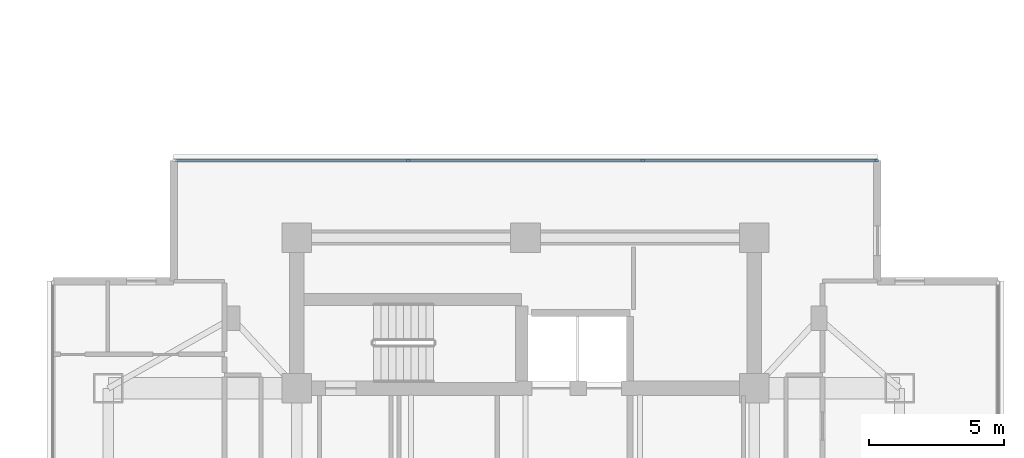
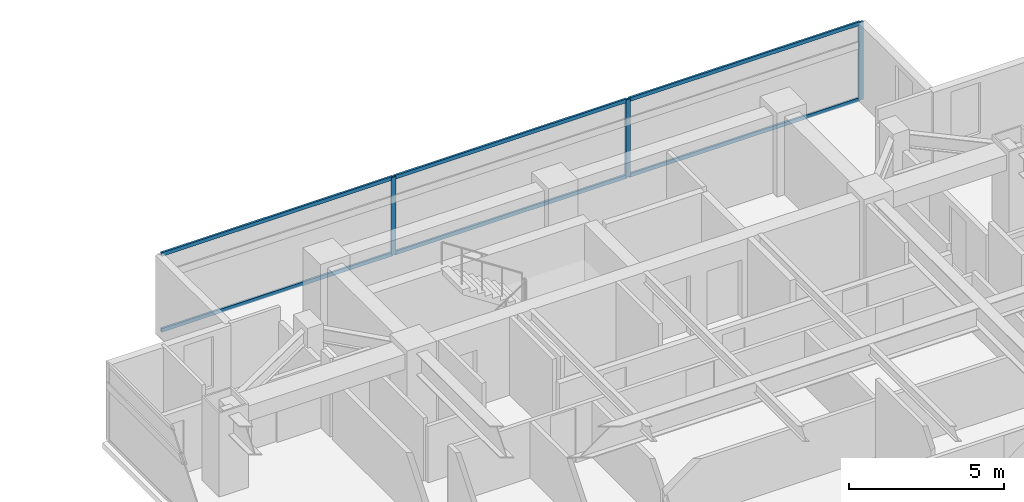
# One storey, part 12 of 26: 9 members, 1 element without a shape of its own.
"""IFC4 building model written with IfcOpenShell, lengths in metres."""

from ifc_helpers import new_model, si_unit, direction, frame, origin, origin_2d, place, context, subcontext, project, spatial, rectangle, extrude, material, material_profile, profile_set, type_object, element, aggregate, save


model = new_model("IFC4")

# Units and contexts
model_context = context("Model", 3, precision=1e-05, world=origin(), true_north=direction((0.0, 1.0)))
body_context = subcontext(model_context, "Body", "Model", "MODEL_VIEW")
ifc_project = project(units=[si_unit("LENGTHUNIT", "METRE"), si_unit("AREAUNIT", "SQUARE_METRE"), si_unit("VOLUMEUNIT", "CUBIC_METRE"), si_unit("PLANEANGLEUNIT", "RADIAN"), si_unit("MASSUNIT", "GRAM", prefix="KILO")], contexts=[model_context])

# Site, building, storey
site_placement = place(None, origin())
site = spatial("IfcSite", under=ifc_project, at=site_placement, CompositionType="ELEMENT")
building_placement = place(site_placement, origin())
building = spatial("IfcBuilding", under=site, at=building_placement, Name="Mirazonda Arch Towers", CompositionType="ELEMENT")
storey_placement = place(building_placement, frame((0.0, 0.0, 128.0)))
storey = spatial("IfcBuildingStorey", under=building, at=storey_placement, Name="L36", CompositionType="ELEMENT", Elevation=128.0)

# Curtain wall, members
ifc_material_1 = material(Name="Anodised Aluminium and Low-E Glass", Category="aluminium")
curtain_wall_type = type_object("IfcCurtainWallType", Name="CW-HTL-UNIT", PredefinedType="NOTDEFINED", material=ifc_material_1)
curtain_wall_placement = place(storey_placement, origin())
curtain_wall = element("IfcCurtainWall", 1, at=curtain_wall_placement, inside=storey, type_object=curtain_wall_type, Name="L36 T2 N Facade CW-L36-T2-N", PredefinedType="NOTDEFINED")
ifc_material_2 = material(Name="Anodised Aluminium Alloy", Category="aluminium")
ifc_material_profile_1 = material_profile(ifc_material_2, rectangle(XDim=0.074951171875, YDim=0.1650390625, at=origin_2d()), Name="ALU-MULL-75x165")
ifc_profile_set_1 = profile_set([ifc_material_profile_1], Name="Anodised Aluminium Alloy")
member_type_1 = type_object("IfcMemberType", Name="MULL-CW-HTL-UNIT", PredefinedType="MULLION", material=ifc_profile_set_1)
member_1_placement = place(storey_placement, frame((72.142578125, 43.6689453125, 0.0), z_axis=(0.0, 0.0, 1.0), x_axis=(0.0, 1.0, 0.0)))
member_1 = element("IfcMember", 2, at=member_1_placement, type_object=member_type_1, Name="CW-112 mullion 2", PredefinedType="MULLION", context=body_context, shape_type="SweptSolid", body=[
    extrude(rectangle(XDim=0.074951171875, YDim=0.1650390625, at=origin_2d()), origin(), (0.0, 0.0, 1.0), 3.06005859375),
])
member_2_placement = place(storey_placement, frame((80.857421875, 43.6689453125, 0.0), z_axis=(0.0, 0.0, 1.0), x_axis=(0.0, 1.0, 0.0)))
member_2 = element("IfcMember", 3, at=member_2_placement, type_object=member_type_1, Name="CW-112 mullion 3", PredefinedType="MULLION", context=body_context, shape_type="SweptSolid", body=[
    extrude(rectangle(XDim=0.074951171875, YDim=0.1650390625, at=origin_2d()), origin(), (0.0, 0.0, 1.0), 3.06005859375),
])
member_3_placement = place(storey_placement, frame((89.534912109375, 43.6689453125, 0.0), z_axis=(0.0, 0.0, 1.0), x_axis=(0.0, 1.0, 0.0)))
member_3 = element("IfcMember", 4, at=member_3_placement, type_object=member_type_1, Name="CW-112 mullion 4", PredefinedType="MULLION", context=body_context, shape_type="SweptSolid", body=[
    extrude(rectangle(XDim=0.074951171875, YDim=0.1650390625, at=origin_2d()), origin(), (0.0, 0.0, 1.0), 3.06005859375),
])
ifc_material_profile_2 = material_profile(ifc_material_2, rectangle(XDim=0.074951171875, YDim=0.14501953125, at=origin_2d()), Name="ALU-TRAN-75x145")
ifc_profile_set_2 = profile_set([ifc_material_profile_2], Name="Anodised Aluminium Alloy")
member_type_2 = type_object("IfcMemberType", Name="TRAN-CW-HTL-UNIT", PredefinedType="USERDEFINED", material=ifc_profile_set_2)
member_4_placement = place(storey_placement, frame((63.50244140625, 43.6689453125, 0.03759765625), z_axis=(1.0, 0.0, 0.0), x_axis=(0.0, 1.0, 0.0)))
member_4 = element("IfcMember", 5, at=member_4_placement, type_object=member_type_2, Name="CW-112 transom 1.1", ObjectType="TRANSOM", PredefinedType="USERDEFINED", context=body_context, shape_type="SweptSolid", body=[
    extrude(rectangle(XDim=0.074951171875, YDim=0.14501953125, at=origin_2d()), origin(), (0.0, 0.0, 1.0), 8.6025390625),
])
member_5_placement = place(storey_placement, frame((63.50244140625, 43.6689453125, 3.0224609375), z_axis=(1.0, 0.0, 0.0), x_axis=(0.0, 1.0, 0.0)))
member_5 = element("IfcMember", 6, at=member_5_placement, type_object=member_type_2, Name="CW-112 transom 1.2", ObjectType="TRANSOM", PredefinedType="USERDEFINED", context=body_context, shape_type="SweptSolid", body=[
    extrude(rectangle(XDim=0.074951171875, YDim=0.14501953125, at=origin_2d()), origin(), (0.0, 0.0, 1.0), 8.6025390625),
])
member_6_placement = place(storey_placement, frame((72.179931640625, 43.6689453125, 0.03759765625), z_axis=(1.0, 0.0, 0.0), x_axis=(0.0, 1.0, 0.0)))
member_6 = element("IfcMember", 7, at=member_6_placement, type_object=member_type_2, Name="CW-112 transom 2.1", ObjectType="TRANSOM", PredefinedType="USERDEFINED", context=body_context, shape_type="SweptSolid", body=[
    extrude(rectangle(XDim=0.074951171875, YDim=0.14501953125, at=origin_2d()), origin(), (0.0, 0.0, 1.0), 8.64013671875),
])
member_7_placement = place(storey_placement, frame((72.179931640625, 43.6689453125, 3.0224609375), z_axis=(1.0, 0.0, 0.0), x_axis=(0.0, 1.0, 0.0)))
member_7 = element("IfcMember", 8, at=member_7_placement, type_object=member_type_2, Name="CW-112 transom 2.2", ObjectType="TRANSOM", PredefinedType="USERDEFINED", context=body_context, shape_type="SweptSolid", body=[
    extrude(rectangle(XDim=0.074951171875, YDim=0.14501953125, at=origin_2d()), origin(), (0.0, 0.0, 1.0), 8.64013671875),
])
member_8_placement = place(storey_placement, frame((80.89501953125, 43.6689453125, 0.03759765625), z_axis=(1.0, 0.0, 0.0), x_axis=(0.0, 1.0, 0.0)))
member_8 = element("IfcMember", 9, at=member_8_placement, type_object=member_type_2, Name="CW-112 transom 3.1", ObjectType="TRANSOM", PredefinedType="USERDEFINED", context=body_context, shape_type="SweptSolid", body=[
    extrude(rectangle(XDim=0.074951171875, YDim=0.14501953125, at=origin_2d()), origin(), (0.0, 0.0, 1.0), 8.6025390625),
])
member_9_placement = place(storey_placement, frame((80.89501953125, 43.6689453125, 3.0224609375), z_axis=(1.0, 0.0, 0.0), x_axis=(0.0, 1.0, 0.0)))
member_9 = element("IfcMember", 10, at=member_9_placement, type_object=member_type_2, Name="CW-112 transom 3.2", ObjectType="TRANSOM", PredefinedType="USERDEFINED", context=body_context, shape_type="SweptSolid", body=[
    extrude(rectangle(XDim=0.074951171875, YDim=0.14501953125, at=origin_2d()), origin(), (0.0, 0.0, 1.0), 8.6025390625),
])
aggregate(curtain_wall, [member_1, member_2, member_3, member_4, member_5, member_6, member_7, member_8, member_9])

save(model, "model.ifc")
